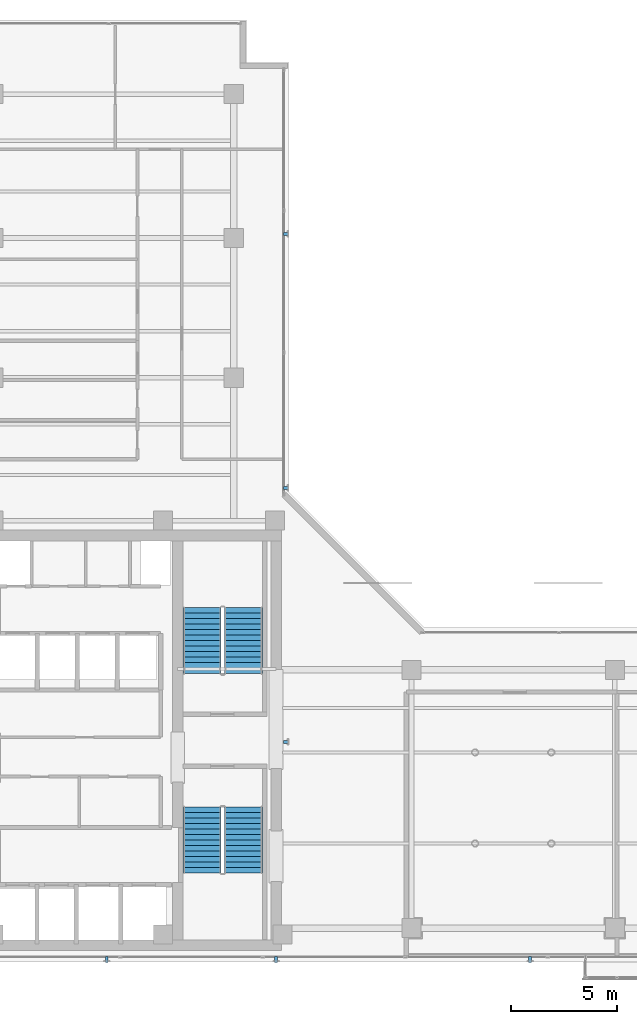
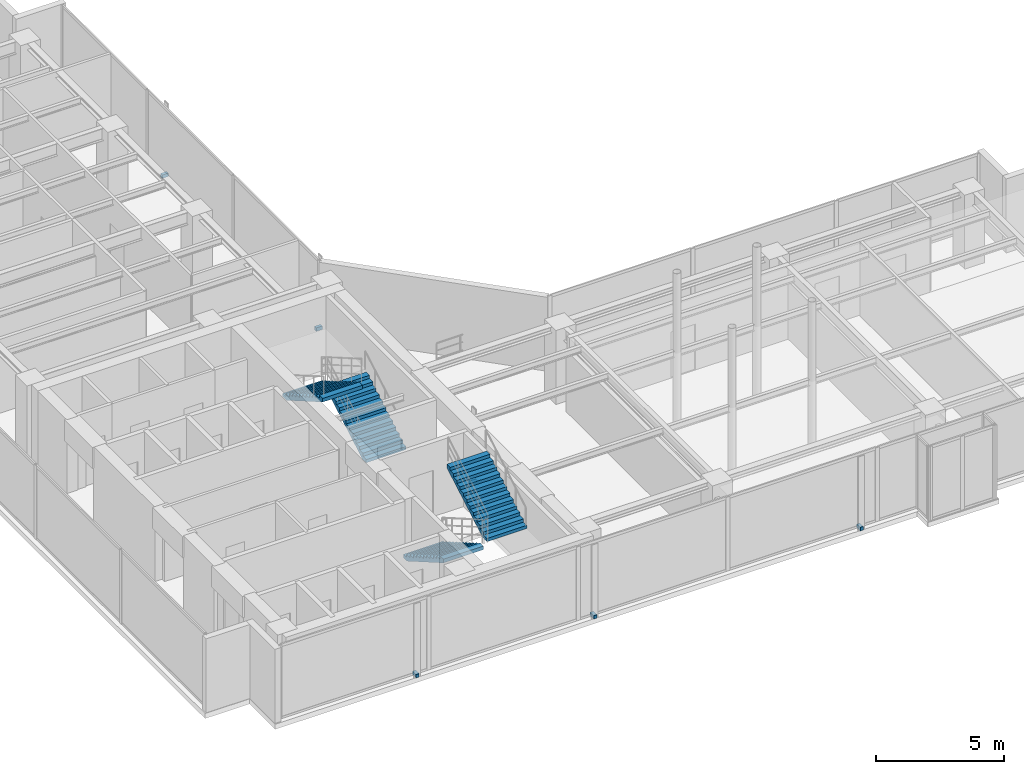
# One storey, part 27 of 32: 6 discrete accessories, 4 stair flights, 2 elements without a shape of their own.
"""IFC4 building model written with IfcOpenShell, lengths in metres."""

from ifc_helpers import new_model, si_unit, direction, frame, origin, origin_with_axes, origin_2d, place, context, subcontext, project, spatial, polyline, rectangle, outline, extrude, source, transform, mapped, material, type_object, element, aggregate, save


model = new_model("IFC4")

# Units and contexts
model_context = context("Model", 3, precision=1e-05, world=origin(), true_north=direction((0.0, 1.0)))
body_context = subcontext(model_context, "Body", "Model", "MODEL_VIEW")
ifc_project = project(units=[si_unit("LENGTHUNIT", "METRE"), si_unit("AREAUNIT", "SQUARE_METRE"), si_unit("VOLUMEUNIT", "CUBIC_METRE"), si_unit("PLANEANGLEUNIT", "RADIAN"), si_unit("MASSUNIT", "GRAM", prefix="KILO")], contexts=[model_context])

# Site, building, storey
site_placement = place(None, origin())
site = spatial("IfcSite", under=ifc_project, at=site_placement, CompositionType="ELEMENT")
building_placement = place(site_placement, origin())
building = spatial("IfcBuilding", under=site, at=building_placement, Name="Kolvaren Waterfront Exchange", CompositionType="ELEMENT")
storey_placement = place(building_placement, frame((0.0, 0.0, 348.10009765625)))
storey = spatial("IfcBuildingStorey", under=building, at=storey_placement, Name="L89", CompositionType="ELEMENT", Elevation=348.10009765625)

# Stair, stair flights
ifc_material_1 = material(Name="Concrete C40/50", Category="concrete")
stair_type = type_object("IfcStairType", Name="ARC-STAIR-3900", PredefinedType="HALF_TURN_STAIR", material=ifc_material_1)
stair_1_placement = place(storey_placement, origin())
stair_1 = element("IfcStair", 1, at=stair_1_placement, inside=storey, type_object=stair_type, Name="L89 Smoke-proof exit stair ST1", PredefinedType="HALF_TURN_STAIR")
stair_flight_type = type_object("IfcStairFlightType", Name="ARC-FLIGHT-3900", PredefinedType="STRAIGHT", material=ifc_material_1)
stair_flight_1_placement = place(storey_placement, frame((17.300048828125, 10.929931640625, 0.0), z_axis=(0.0, 0.0, 1.0), x_axis=(0.0, -1.0, 0.0)))
stair_flight_1 = element("IfcStairFlight", 2, at=stair_flight_1_placement, type_object=stair_flight_type, Name="ST1 flight 1", NumberOfRisers=13, NumberOfTreads=12, PredefinedType="STRAIGHT", RiserHeight=0.15, TreadLength=0.26, context=body_context, shape_type="SweptSolid", body=[
    extrude(outline(polyline([(0.0, 0.0), (0.0, 0.14990234375), (0.260009765625, 0.14990234375), (0.260009765625, 0.300048828125), (0.52001953125, 0.300048828125), (0.52001953125, 0.449951171875), (0.780029296875, 0.449951171875), (0.780029296875, 0.60009765625), (1.0400390625, 0.60009765625), (1.0400390625, 0.75), (1.300048828125, 0.75), (1.300048828125, 0.89990234375), (1.56005859375, 0.89990234375), (1.56005859375, 1.050048828125), (1.820068359375, 1.050048828125), (1.820068359375, 1.199951171875), (2.080078125, 1.199951171875), (2.080078125, 1.35009765625), (2.340087890625, 1.35009765625), (2.340087890625, 1.5), (2.60009765625, 1.5), (2.60009765625, 1.64990234375), (2.860107421875, 1.64990234375), (2.860107421875, 1.800048828125), (3.1201171875, 1.800048828125), (3.1201171875, 1.949951171875), (3.1201171875, 1.626953125), (0.300048828125, 0.0), (0.0, 0.0)])), frame((0.0, 0.89990234375, 0.0), z_axis=(0.0, -1.0, 0.0), x_axis=(1.0, 0.0, 0.0)), (0.0, 0.0, 1.0), 1.800048828125),
])
stair_flight_2_placement = place(storey_placement, frame((19.260009765625, 7.81005859375, 1.949951171875), z_axis=(0.0, 0.0, 1.0), x_axis=(0.0, 1.0, 0.0)))
stair_flight_2 = element("IfcStairFlight", 3, at=stair_flight_2_placement, type_object=stair_flight_type, Name="ST1 flight 2", NumberOfRisers=13, NumberOfTreads=12, PredefinedType="STRAIGHT", RiserHeight=0.15, TreadLength=0.26, context=body_context, shape_type="SweptSolid", body=[
    extrude(outline(polyline([(0.0, 0.0), (0.0, 0.14990234375), (0.260009765625, 0.14990234375), (0.260009765625, 0.300048828125), (0.52001953125, 0.300048828125), (0.52001953125, 0.449951171875), (0.780029296875, 0.449951171875), (0.780029296875, 0.60009765625), (1.0400390625, 0.60009765625), (1.0400390625, 0.75), (1.300048828125, 0.75), (1.300048828125, 0.89990234375), (1.56005859375, 0.89990234375), (1.56005859375, 1.050048828125), (1.820068359375, 1.050048828125), (1.820068359375, 1.199951171875), (2.080078125, 1.199951171875), (2.080078125, 1.35009765625), (2.340087890625, 1.35009765625), (2.340087890625, 1.5), (2.60009765625, 1.5), (2.60009765625, 1.64990234375), (2.860107421875, 1.64990234375), (2.860107421875, 1.800048828125), (3.1201171875, 1.800048828125), (3.1201171875, 1.949951171875), (3.1201171875, 1.626953125), (0.300048828125, 0.0), (0.0, 0.0)])), frame((0.0, 0.89990234375, 0.0), z_axis=(0.0, -1.0, 0.0), x_axis=(1.0, 0.0, 0.0)), (0.0, 0.0, 1.0), 1.800048828125),
])
aggregate(stair_1, [stair_flight_1, stair_flight_2])

stair_2_placement = place(storey_placement, origin())
stair_2 = element("IfcStair", 4, at=stair_2_placement, inside=storey, type_object=stair_type, Name="L89 Smoke-proof exit stair ST2", PredefinedType="HALF_TURN_STAIR")
stair_flight_3_placement = place(storey_placement, frame((19.260009765625, 17.219970703125, 0.0), z_axis=(0.0, 0.0, 1.0), x_axis=(0.0, 1.0, 0.0)))
stair_flight_3 = element("IfcStairFlight", 5, at=stair_flight_3_placement, type_object=stair_flight_type, Name="ST2 flight 1", NumberOfRisers=13, NumberOfTreads=12, PredefinedType="STRAIGHT", RiserHeight=0.15, TreadLength=0.26, context=body_context, shape_type="SweptSolid", body=[
    extrude(outline(polyline([(0.0, 0.0), (0.0, 0.14990234375), (0.260009765625, 0.14990234375), (0.260009765625, 0.300048828125), (0.52001953125, 0.300048828125), (0.52001953125, 0.449951171875), (0.780029296875, 0.449951171875), (0.780029296875, 0.60009765625), (1.0400390625, 0.60009765625), (1.0400390625, 0.75), (1.300048828125, 0.75), (1.300048828125, 0.89990234375), (1.56005859375, 0.89990234375), (1.56005859375, 1.050048828125), (1.820068359375, 1.050048828125), (1.820068359375, 1.199951171875), (2.080078125, 1.199951171875), (2.080078125, 1.35009765625), (2.340087890625, 1.35009765625), (2.340087890625, 1.5), (2.60009765625, 1.5), (2.60009765625, 1.64990234375), (2.860107421875, 1.64990234375), (2.860107421875, 1.800048828125), (3.1201171875, 1.800048828125), (3.1201171875, 1.949951171875), (3.1201171875, 1.626953125), (0.300048828125, 0.0), (0.0, 0.0)])), frame((0.0, 0.89990234375, 0.0), z_axis=(0.0, -1.0, 0.0), x_axis=(1.0, 0.0, 0.0)), (0.0, 0.0, 1.0), 1.800048828125),
])
stair_flight_4_placement = place(storey_placement, frame((17.300048828125, 20.340087890625, 1.949951171875), z_axis=(0.0, 0.0, 1.0), x_axis=(0.0, -1.0, 0.0)))
stair_flight_4 = element("IfcStairFlight", 6, at=stair_flight_4_placement, type_object=stair_flight_type, Name="ST2 flight 2", NumberOfRisers=13, NumberOfTreads=12, PredefinedType="STRAIGHT", RiserHeight=0.15, TreadLength=0.26, context=body_context, shape_type="SweptSolid", body=[
    extrude(outline(polyline([(0.0, 0.0), (0.0, 0.14990234375), (0.260009765625, 0.14990234375), (0.260009765625, 0.300048828125), (0.52001953125, 0.300048828125), (0.52001953125, 0.449951171875), (0.780029296875, 0.449951171875), (0.780029296875, 0.60009765625), (1.0400390625, 0.60009765625), (1.0400390625, 0.75), (1.300048828125, 0.75), (1.300048828125, 0.89990234375), (1.56005859375, 0.89990234375), (1.56005859375, 1.050048828125), (1.820068359375, 1.050048828125), (1.820068359375, 1.199951171875), (2.080078125, 1.199951171875), (2.080078125, 1.35009765625), (2.340087890625, 1.35009765625), (2.340087890625, 1.5), (2.60009765625, 1.5), (2.60009765625, 1.64990234375), (2.860107421875, 1.64990234375), (2.860107421875, 1.800048828125), (3.1201171875, 1.800048828125), (3.1201171875, 1.949951171875), (3.1201171875, 1.626953125), (0.300048828125, 0.0), (0.0, 0.0)])), frame((0.0, 0.89990234375, 0.0), z_axis=(0.0, -1.0, 0.0), x_axis=(1.0, 0.0, 0.0)), (0.0, 0.0, 1.0), 1.800048828125),
])
aggregate(stair_2, [stair_flight_3, stair_flight_4])

# Discrete accessories
ifc_material_2 = material(Name="Stainless steel 316", Category="steel")
discrete_accessory_type = type_object("IfcDiscreteAccessoryType", Name="ARC-BRK-FIN", PredefinedType="BRACKET", material=ifc_material_2)
shared_shape = source(origin_with_axes(), body_context, "Body", "SweptSolid", [
    extrude(rectangle(XDim=0.280029296875, YDim=0.139892578125, at=origin_2d()), origin(), (0.0, 0.0, 1.0), 0.159912109375),
])
for number, where, z_axis, x_axis, name in (
    (7, (12.800048828125, 3.719970703125, 0.0), (0.0, 0.0, 1.0), (0.0, -1.0, 0.0), "L89 bronze fin anchor bracket FIN-L89-S1"),
    (8, (20.800048828125, 3.719970703125, 0.0), (0.0, 0.0, 1.0), (0.0, -1.0, 0.0), "L89 bronze fin anchor bracket FIN-L89-S2"),
    (9, (32.800048828125, 3.719970703125, 0.0), (0.0, 0.0, 1.0), (0.0, -1.0, 0.0), "L89 bronze fin anchor bracket FIN-L89-S3"),
    (10, (21.280029296875, 14.0, 0.0), (0.0, 0.0, 1.0), (1.0, 0.0, 0.0), "L89 bronze fin anchor bracket FIN-L89-E1"),
    (11, (21.280029296875, 26.0, 0.0), (0.0, 0.0, 1.0), (1.0, 0.0, 0.0), "L89 bronze fin anchor bracket FIN-L89-E2"),
    (12, (21.280029296875, 38.0, 0.0), (0.0, 0.0, 1.0), (1.0, 0.0, 0.0), "L89 bronze fin anchor bracket FIN-L89-E3"),
):
    element("IfcDiscreteAccessory", number, at=place(storey_placement, frame(where, z_axis=z_axis, x_axis=x_axis)), inside=storey, type_object=discrete_accessory_type, Name=name, PredefinedType="BRACKET", context=body_context, shape_type="MappedRepresentation", body=[
        mapped(shared_shape, transform((0.0, 0.0, 0.0), x_axis=(1.0, 0.0, 0.0), y_axis=(0.0, 1.0, 0.0), z_axis=(0.0, 0.0, 1.0), scale=1.0)),
    ])

save(model, "model.ifc")
